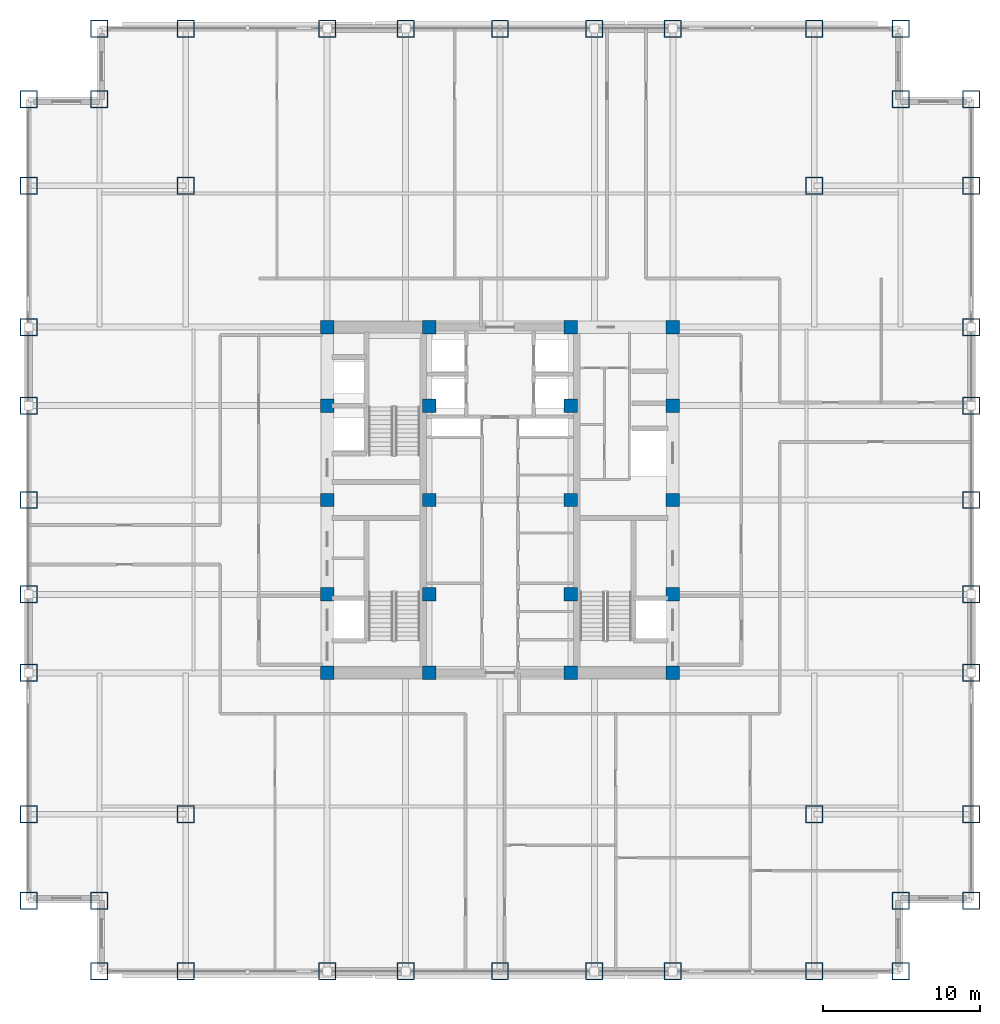
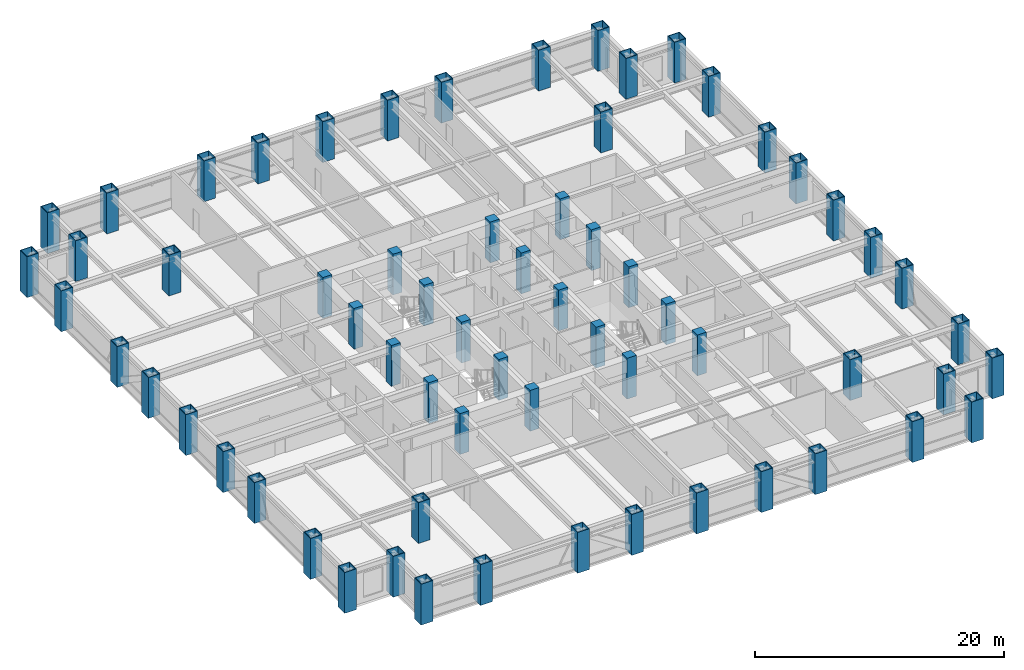
# One storey, part 1 of 28: 64 columns.
"""IFC4 building model written with IfcOpenShell, lengths in metres."""

from ifc_helpers import new_model, si_unit, direction, frame, origin, origin_2d, place, context, subcontext, project, spatial, rectangle, hollow_rectangle, extrude, source, transform, mapped, material, material_profile, profile_set, type_object, element, save


model = new_model("IFC4")

# Units and contexts
model_context = context("Model", 3, precision=1e-05, world=origin(), true_north=direction((0.0, 1.0)))
body_context = subcontext(model_context, "Body", "Model", "MODEL_VIEW")
ifc_project = project(units=[si_unit("LENGTHUNIT", "METRE"), si_unit("AREAUNIT", "SQUARE_METRE"), si_unit("VOLUMEUNIT", "CUBIC_METRE"), si_unit("PLANEANGLEUNIT", "RADIAN"), si_unit("MASSUNIT", "GRAM", prefix="KILO")], contexts=[model_context])

# Site, building, storey
site_placement = place(None, origin())
site = spatial("IfcSite", under=ifc_project, at=site_placement, CompositionType="ELEMENT")
building_placement = place(site_placement, origin())
building = spatial("IfcBuilding", under=site, at=building_placement, Name="Khorayat Bourse Tower", CompositionType="ELEMENT")
storey_placement = place(building_placement, frame((0.0, 0.0, 183.10009765625)))
storey = spatial("IfcBuildingStorey", under=building, at=storey_placement, Name="L42", CompositionType="ELEMENT", Elevation=183.10009765625)

# Columns
ifc_material_1 = material(Name="Steel EN 10025-4 S460M", Category="steel")
ifc_material_profile_1 = material_profile(ifc_material_1, hollow_rectangle(XDim=1.10009765625, YDim=1.10009765625, WallThickness=0.06005859375, at=origin_2d()), Name="BOX 1100x1100x60")
ifc_profile_set_1 = profile_set([ifc_material_profile_1], Name="Steel EN 10025-4 S460M")
column_type_1 = type_object("IfcColumnType", Name="COL-TUBE-1100", PredefinedType="COLUMN", material=ifc_profile_set_1)
shared_shape_1 = source(origin(), body_context, "Body", "SweptSolid", [
    extrude(hollow_rectangle(XDim=1.10009765625, YDim=1.10009765625, WallThickness=0.06005859375, at=origin_2d()), origin(), (0.0, 0.0, 1.0), 4.0),
])
for number, where, z_axis, x_axis, name in (
    (1, (-30.0, -25.5, 0.0), (0.0, 0.0, 1.0), (1.0, 0.0, 0.0), "L42 Column 001"),
    (2, (-30.0, -20.0, 0.0), (0.0, 0.0, 1.0), (1.0, 0.0, 0.0), "L42 Column 002"),
    (3, (-30.0, -11.0, 0.0), (0.0, 0.0, 1.0), (1.0, 0.0, 0.0), "L42 Column 003"),
    (4, (-30.0, -6.0, 0.0), (0.0, 0.0, 1.0), (1.0, 0.0, 0.0), "L42 Column 004"),
    (5, (-30.0, 0.0, 0.0), (0.0, 0.0, 1.0), (1.0, 0.0, 0.0), "L42 Column 005"),
    (6, (-30.0, 6.0, 0.0), (0.0, 0.0, 1.0), (1.0, 0.0, 0.0), "L42 Column 006"),
    (7, (-30.0, 11.0, 0.0), (0.0, 0.0, 1.0), (1.0, 0.0, 0.0), "L42 Column 007"),
    (8, (-30.0, 20.0, 0.0), (0.0, 0.0, 1.0), (1.0, 0.0, 0.0), "L42 Column 008"),
    (9, (-30.0, 25.5, 0.0), (0.0, 0.0, 1.0), (1.0, 0.0, 0.0), "L42 Column 009"),
    (10, (-25.5, -30.0, 0.0), (0.0, 0.0, 1.0), (1.0, 0.0, 0.0), "L42 Column 010"),
    (11, (-25.5, -25.5, 0.0), (0.0, 0.0, 1.0), (1.0, 0.0, 0.0), "L42 Column 011"),
    (12, (-25.5, 25.5, 0.0), (0.0, 0.0, 1.0), (1.0, 0.0, 0.0), "L42 Column 012"),
    (13, (-25.5, 30.0, 0.0), (0.0, 0.0, 1.0), (1.0, 0.0, 0.0), "L42 Column 013"),
    (14, (-20.0, -30.0, 0.0), (0.0, 0.0, 1.0), (1.0, 0.0, 0.0), "L42 Column 014"),
    (15, (-20.0, -20.0, 0.0), (0.0, 0.0, 1.0), (1.0, 0.0, 0.0), "L42 Column 015"),
    (16, (-20.0, 20.0, 0.0), (0.0, 0.0, 1.0), (1.0, 0.0, 0.0), "L42 Column 016"),
    (17, (-20.0, 30.0, 0.0), (0.0, 0.0, 1.0), (1.0, 0.0, 0.0), "L42 Column 017"),
    (18, (-11.0, -30.0, 0.0), (0.0, 0.0, 1.0), (1.0, 0.0, 0.0), "L42 Column 018"),
    (19, (-11.0, 30.0, 0.0), (0.0, 0.0, 1.0), (1.0, 0.0, 0.0), "L42 Column 024"),
    (20, (-6.0, -30.0, 0.0), (0.0, 0.0, 1.0), (1.0, 0.0, 0.0), "L42 Column 025"),
    (21, (-6.0, 30.0, 0.0), (0.0, 0.0, 1.0), (1.0, 0.0, 0.0), "L42 Column 026"),
    (22, (0.0, -30.0, 0.0), (0.0, 0.0, 1.0), (1.0, 0.0, 0.0), "L42 Column 032"),
    (23, (0.0, 30.0, 0.0), (0.0, 0.0, 1.0), (1.0, 0.0, 0.0), "L42 Column 033"),
    (24, (6.0, -30.0, 0.0), (0.0, 0.0, 1.0), (1.0, 0.0, 0.0), "L42 Column 039"),
    (25, (6.0, 30.0, 0.0), (0.0, 0.0, 1.0), (1.0, 0.0, 0.0), "L42 Column 040"),
    (26, (11.0, -30.0, 0.0), (0.0, 0.0, 1.0), (1.0, 0.0, 0.0), "L42 Column 041"),
    (27, (11.0, 30.0, 0.0), (0.0, 0.0, 1.0), (1.0, 0.0, 0.0), "L42 Column 047"),
    (28, (20.0, -30.0, 0.0), (0.0, 0.0, 1.0), (1.0, 0.0, 0.0), "L42 Column 048"),
    (29, (20.0, -20.0, 0.0), (0.0, 0.0, 1.0), (1.0, 0.0, 0.0), "L42 Column 049"),
    (30, (20.0, 20.0, 0.0), (0.0, 0.0, 1.0), (1.0, 0.0, 0.0), "L42 Column 050"),
    (31, (20.0, 30.0, 0.0), (0.0, 0.0, 1.0), (1.0, 0.0, 0.0), "L42 Column 051"),
    (32, (25.5, -30.0, 0.0), (0.0, 0.0, 1.0), (1.0, 0.0, 0.0), "L42 Column 052"),
    (33, (25.5, -25.5, 0.0), (0.0, 0.0, 1.0), (1.0, 0.0, 0.0), "L42 Column 053"),
    (34, (25.5, 25.5, 0.0), (0.0, 0.0, 1.0), (1.0, 0.0, 0.0), "L42 Column 054"),
    (35, (25.5, 30.0, 0.0), (0.0, 0.0, 1.0), (1.0, 0.0, 0.0), "L42 Column 055"),
    (36, (30.0, -25.5, 0.0), (0.0, 0.0, 1.0), (1.0, 0.0, 0.0), "L42 Column 056"),
    (37, (30.0, -20.0, 0.0), (0.0, 0.0, 1.0), (1.0, 0.0, 0.0), "L42 Column 057"),
    (38, (30.0, -11.0, 0.0), (0.0, 0.0, 1.0), (1.0, 0.0, 0.0), "L42 Column 058"),
    (39, (30.0, -6.0, 0.0), (0.0, 0.0, 1.0), (1.0, 0.0, 0.0), "L42 Column 059"),
    (40, (30.0, 0.0, 0.0), (0.0, 0.0, 1.0), (1.0, 0.0, 0.0), "L42 Column 060"),
    (41, (30.0, 6.0, 0.0), (0.0, 0.0, 1.0), (1.0, 0.0, 0.0), "L42 Column 061"),
    (42, (30.0, 11.0, 0.0), (0.0, 0.0, 1.0), (1.0, 0.0, 0.0), "L42 Column 062"),
    (43, (30.0, 20.0, 0.0), (0.0, 0.0, 1.0), (1.0, 0.0, 0.0), "L42 Column 063"),
    (44, (30.0, 25.5, 0.0), (0.0, 0.0, 1.0), (1.0, 0.0, 0.0), "L42 Column 064"),
):
    element("IfcColumn", number, at=place(storey_placement, frame(where, z_axis=z_axis, x_axis=x_axis)), inside=storey, type_object=column_type_1, Name=name, PredefinedType="COLUMN", context=body_context, shape_type="MappedRepresentation", body=[
        mapped(shared_shape_1, transform((0.0, 0.0, 0.0), scale=1.0)),
    ])
ifc_material_2 = material(Name="Concrete C60/75", Category="concrete")
ifc_material_profile_2 = material_profile(ifc_material_2, rectangle(XDim=0.85009765625, YDim=0.85009765625, at=origin_2d()), Name="RC 850x850")
ifc_profile_set_2 = profile_set([ifc_material_profile_2], Name="Concrete C60/75")
column_type_2 = type_object("IfcColumnType", Name="COL-CORE-850", PredefinedType="COLUMN", material=ifc_profile_set_2)
shared_shape_2 = source(origin(), body_context, "Body", "SweptSolid", [
    extrude(rectangle(XDim=0.85009765625, YDim=0.85009765625, at=origin_2d()), origin(), (0.0, 0.0, 1.0), 4.0),
])
for number, where, z_axis, x_axis, name in (
    (45, (-11.0, -11.0, 0.0), (0.0, 0.0, 1.0), (1.0, 0.0, 0.0), "L42 Column 019"),
    (46, (-11.0, -6.0, 0.0), (0.0, 0.0, 1.0), (1.0, 0.0, 0.0), "L42 Column 020"),
    (47, (-11.0, 0.0, 0.0), (0.0, 0.0, 1.0), (1.0, 0.0, 0.0), "L42 Column 021"),
    (48, (-11.0, 6.0, 0.0), (0.0, 0.0, 1.0), (1.0, 0.0, 0.0), "L42 Column 022"),
    (49, (-11.0, 11.0, 0.0), (0.0, 0.0, 1.0), (1.0, 0.0, 0.0), "L42 Column 023"),
    (50, (-4.5, -11.0, 0.0), (0.0, 0.0, 1.0), (1.0, 0.0, 0.0), "L42 Column 027"),
    (51, (-4.5, -6.0, 0.0), (0.0, 0.0, 1.0), (1.0, 0.0, 0.0), "L42 Column 028"),
    (52, (-4.5, 0.0, 0.0), (0.0, 0.0, 1.0), (1.0, 0.0, 0.0), "L42 Column 029"),
    (53, (-4.5, 6.0, 0.0), (0.0, 0.0, 1.0), (1.0, 0.0, 0.0), "L42 Column 030"),
    (54, (-4.5, 11.0, 0.0), (0.0, 0.0, 1.0), (1.0, 0.0, 0.0), "L42 Column 031"),
    (55, (4.5, -11.0, 0.0), (0.0, 0.0, 1.0), (1.0, 0.0, 0.0), "L42 Column 034"),
    (56, (4.5, -6.0, 0.0), (0.0, 0.0, 1.0), (1.0, 0.0, 0.0), "L42 Column 035"),
    (57, (4.5, 0.0, 0.0), (0.0, 0.0, 1.0), (1.0, 0.0, 0.0), "L42 Column 036"),
    (58, (4.5, 6.0, 0.0), (0.0, 0.0, 1.0), (1.0, 0.0, 0.0), "L42 Column 037"),
    (59, (4.5, 11.0, 0.0), (0.0, 0.0, 1.0), (1.0, 0.0, 0.0), "L42 Column 038"),
    (60, (11.0, -11.0, 0.0), (0.0, 0.0, 1.0), (1.0, 0.0, 0.0), "L42 Column 042"),
    (61, (11.0, -6.0, 0.0), (0.0, 0.0, 1.0), (1.0, 0.0, 0.0), "L42 Column 043"),
    (62, (11.0, 0.0, 0.0), (0.0, 0.0, 1.0), (1.0, 0.0, 0.0), "L42 Column 044"),
    (63, (11.0, 6.0, 0.0), (0.0, 0.0, 1.0), (1.0, 0.0, 0.0), "L42 Column 045"),
    (64, (11.0, 11.0, 0.0), (0.0, 0.0, 1.0), (1.0, 0.0, 0.0), "L42 Column 046"),
):
    element("IfcColumn", number, at=place(storey_placement, frame(where, z_axis=z_axis, x_axis=x_axis)), inside=storey, type_object=column_type_2, Name=name, PredefinedType="COLUMN", context=body_context, shape_type="MappedRepresentation", body=[
        mapped(shared_shape_2, transform((0.0, 0.0, 0.0), scale=1.0)),
    ])

save(model, "model.ifc")
